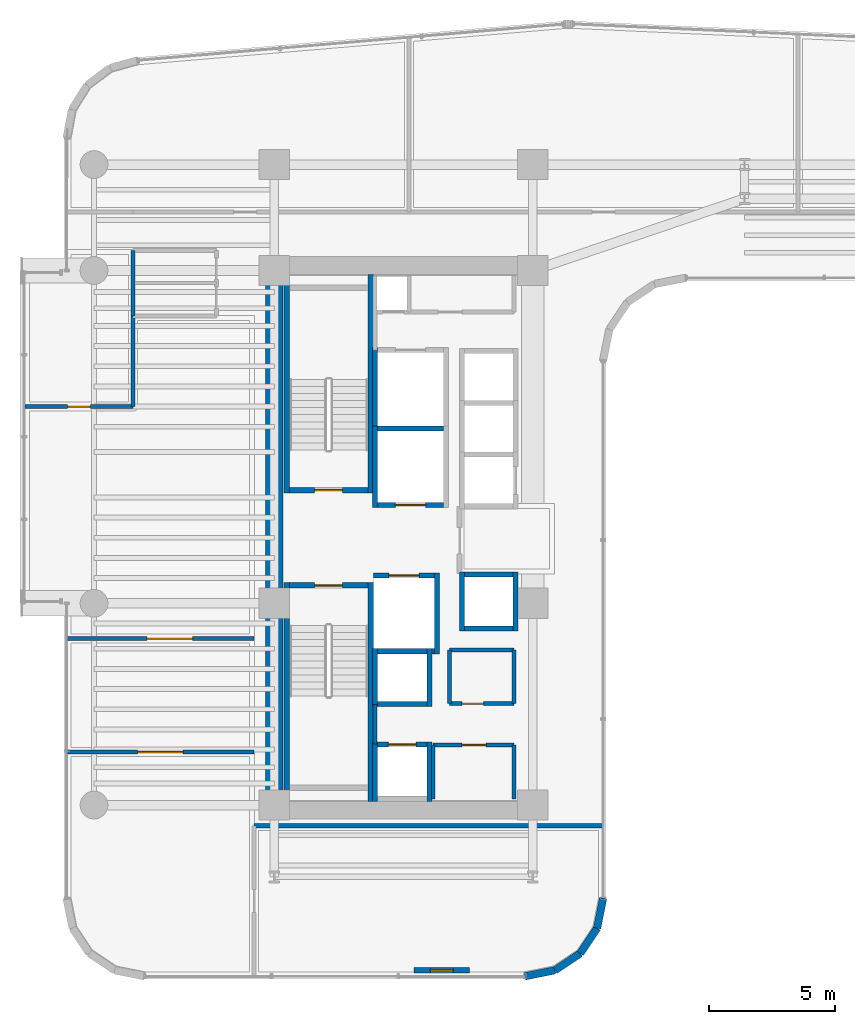
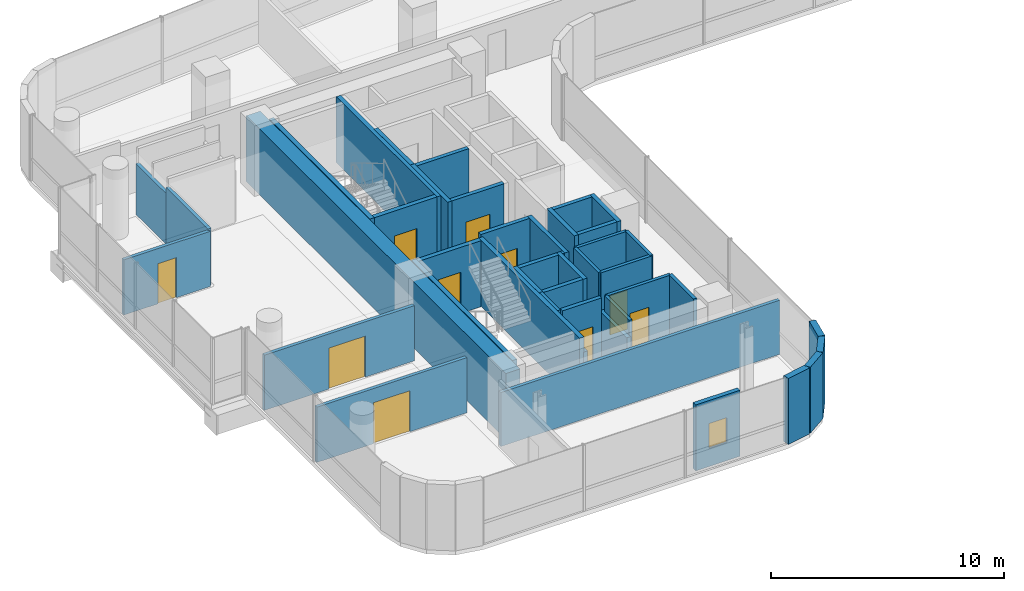
# One storey, part 26 of 34: 43 walls, 10 doors, 1 window, 11 openings.
"""IFC4 building model written with IfcOpenShell, lengths in metres."""

import ifcopenshell
import ifcopenshell.guid

model = None  # the IFC model being written
_history = None  # IfcOwnerHistory: only IFC2X3 demands one
_inside = {}  # id of a spatial element -> (the spatial element, [elements in it])
_under = {}  # id of a project, library or spatial element -> (it, [spatial elements below it])
_declared = {}  # id of a project -> (the project, [libraries it declares])
_typed = {}  # id of a type object -> (the type object, [elements of that type])
_made_of = {}  # id of a material, layer set ... -> (it, [elements and type objects made of it])


def new_model(schema):
    """Start an empty IFC model of exactly this schema.

    Asked for "IFC4X3", IfcOpenShell would pick the latest addendum, in which some entities
    have other attributes; the version numbers below select the first issue.
    IFC2X3 requires an IfcOwnerHistory on every rooted entity: one is made here for all.
    """
    global model, _history
    if schema == "IFC4X3":
        model = ifcopenshell.file(schema_version=(4, 3, 0, 0))
    else:
        model = ifcopenshell.file(schema=schema)
    _inside.clear()
    _under.clear()
    _declared.clear()
    _typed.clear()
    _made_of.clear()
    _history = None
    if model.schema == "IFC2X3":
        org = make("IfcOrganization", Name="unknown")
        user = make(
            "IfcPersonAndOrganization",
            ThePerson=make("IfcPerson", FamilyName="unknown"),
            TheOrganization=org,
        )
        app = make(
            "IfcApplication",
            ApplicationDeveloper=org,
            Version="unknown",
            ApplicationFullName="unknown",
            ApplicationIdentifier="unknown",
        )
        _history = make(
            "IfcOwnerHistory",
            OwningUser=user,
            OwningApplication=app,
            ChangeAction="ADDED",
            CreationDate=0,
        )
    return model


def make(cls, **values):
    """One entity of the class cls with the attributes given. An attribute that is None is left unset."""
    return model.create_entity(
        cls, **{name: value for name, value in values.items() if value is not None}
    )


def rooted(cls, **values):
    """An entity with a GlobalId (a new one), such as an element, a storey or a relation."""
    return make(cls, GlobalId=ifcopenshell.guid.new(), OwnerHistory=_history, **values)


def si_unit(unit_type, name, prefix=None):
    """IfcSIUnit, for example si_unit("LENGTHUNIT", "METRE", prefix="MILLI")."""
    return make("IfcSIUnit", UnitType=unit_type, Prefix=prefix, Name=name)


def assignment(units):
    """IfcUnitAssignment: the units of a project."""
    return None if units is None else make("IfcUnitAssignment", Units=units)


def point(xyz):
    """IfcCartesianPoint."""
    return None if xyz is None else make("IfcCartesianPoint", Coordinates=xyz)


def direction(xyz):
    """IfcDirection."""
    return None if xyz is None else make("IfcDirection", DirectionRatios=xyz)


def frame(location, z_axis=None, x_axis=None):
    """IfcAxis2Placement3D, a coordinate frame: its origin and axes. An axis left out is left unset."""
    return make(
        "IfcAxis2Placement3D",
        Location=point(location),
        Axis=direction(z_axis),
        RefDirection=direction(x_axis),
    )


def frame_2d(location, x_axis=None):
    """IfcAxis2Placement2D, a coordinate frame in the plane: its origin and x axis."""
    return make(
        "IfcAxis2Placement2D", Location=point(location), RefDirection=direction(x_axis)
    )


def origin():
    """The frame at (0, 0, 0) with its axes left unset."""
    return frame((0.0, 0.0, 0.0))


def place(relative_to, where):
    """IfcLocalPlacement: puts the frame where relative to a parent placement (None: the world)."""
    return make(
        "IfcLocalPlacement", PlacementRelTo=relative_to, RelativePlacement=where
    )


def context(
    kind, dimensions, precision=None, world=None, true_north=None, identifier=None
):
    """IfcGeometricRepresentationContext, for example the 3D "Model" context."""
    return make(
        "IfcGeometricRepresentationContext",
        ContextIdentifier=identifier,
        ContextType=kind,
        CoordinateSpaceDimension=dimensions,
        Precision=precision,
        WorldCoordinateSystem=world,
        TrueNorth=true_north,
    )


def subcontext(parent, identifier, kind, view, scale=None):
    """IfcGeometricRepresentationSubContext, for example "Body" below "Model"."""
    return make(
        "IfcGeometricRepresentationSubContext",
        ContextIdentifier=identifier,
        ContextType=kind,
        ParentContext=parent,
        TargetScale=scale,
        TargetView=view,
    )


def project(units=None, contexts=None):
    """IfcProject with its units and contexts."""
    return rooted(
        "IfcProject",
        Name="project",
        RepresentationContexts=contexts,
        UnitsInContext=assignment(units),
    )


def spatial(cls, under=None, at=None, **own):
    """A site, building, storey or space (cls), placed at a placement, below another one or the project."""
    s = rooted(cls, ObjectPlacement=at, **own)
    if under is not None:
        _under.setdefault(under.id(), (under, []))[1].append(s)
    return s


def profile(cls, at=None, kind="AREA", **sizes):
    """A parametric profile (cls). Its sizes go by their IFC names, for example OverallWidth=200.0."""
    return make(cls, ProfileType=kind, Position=at, **sizes)


def rectangle(**sizes):
    """IfcRectangleProfileDef."""
    return profile("IfcRectangleProfileDef", **sizes)


def extrude(swept, where, along, depth):
    """IfcExtrudedAreaSolid: the profile swept, set in the frame where, extruded along a direction by depth."""
    return make(
        "IfcExtrudedAreaSolid",
        SweptArea=swept,
        Position=where,
        ExtrudedDirection=direction(along),
        Depth=depth,
    )


def shape(context_of_items, identifier, shape_type, items):
    """IfcShapeRepresentation: the items that make up one representation, for example the "Body"."""
    return make(
        "IfcShapeRepresentation",
        ContextOfItems=context_of_items,
        RepresentationIdentifier=identifier,
        RepresentationType=shape_type,
        Items=items,
    )


def material(Name=None, Category=None):
    """IfcMaterial."""
    return make("IfcMaterial", Name=Name, Category=Category)


def layer(
    of_material, thickness, ventilated=None, Name=None, Category=None, Priority=None
):
    """IfcMaterialLayer: one layer of a wall or slab, of a material (None: an air gap)."""
    return make(
        "IfcMaterialLayer",
        Material=of_material,
        LayerThickness=thickness,
        IsVentilated=ventilated,
        Name=Name,
        Category=Category,
        Priority=Priority,
    )


def layer_set(layers, Name=None):
    """IfcMaterialLayerSet."""
    return make("IfcMaterialLayerSet", MaterialLayers=layers, LayerSetName=Name)


def made_of(thing, what):
    """Note that an element or type object is made of a material, layer set ...; save() writes the relation."""
    if what is not None:
        _made_of.setdefault(what.id(), (what, []))[1].append(thing)
    return thing


def type_object(cls, material=None, **own):
    """A type object (cls), such as IfcWallType, which elements share."""
    return made_of(rooted(cls, **own), material)


def element(
    cls,
    number,
    at=None,
    inside=None,
    cuts=None,
    type_object=None,
    material=None,
    context=None,
    identifier="Body",
    shape_type=None,
    held_by="IfcProductDefinitionShape",
    body=None,
    shapes=None,
    **own,
):
    """One element of the class cls, such as IfcWall. Its Tag is "e" and its number.

    at: its placement. inside: the storey or other place that contains it. cuts: it is an
    opening in that element (IfcRelVoidsElement). A single representation is given by context,
    identifier, shape_type and body (its items); several are given by shapes. held_by: the class
    of the entity that holds the representations. save() writes the other relations.
    """
    e = rooted(cls, Tag="e%d" % number, ObjectPlacement=at, **own)
    if body is not None:
        shapes = [shape(context, identifier, shape_type, body)]
    if shapes is not None:
        e.Representation = make(held_by, Representations=shapes)
    if inside is not None:
        _inside.setdefault(inside.id(), (inside, []))[1].append(e)
    if cuts is not None:
        rooted(
            "IfcRelVoidsElement", RelatingBuildingElement=cuts, RelatedOpeningElement=e
        )
    if type_object is not None:
        _typed.setdefault(type_object.id(), (type_object, []))[1].append(e)
    return made_of(e, material)


def fill(opening, filler):
    """IfcRelFillsElement: the door or window that sits in an opening."""
    return rooted(
        "IfcRelFillsElement",
        RelatingOpeningElement=opening,
        RelatedBuildingElement=filler,
    )


def aggregate(whole, parts):
    """IfcRelAggregates: a whole, such as a stair, and the parts it consists of."""
    return rooted("IfcRelAggregates", RelatingObject=whole, RelatedObjects=parts)


def save(model, path):
    """Write the relations noted so far, then the file.

    IfcRelAggregates (storeys below a building ...), IfcRelContainedInSpatialStructure (elements
    in a storey), IfcRelDefinesByType, IfcRelAssociatesMaterial and IfcRelDeclares: one each for
    every whole, place, type object, material and project.
    """
    for whole, parts in _under.values():
        aggregate(whole, parts)
    for where, things in _inside.values():
        rooted(
            "IfcRelContainedInSpatialStructure",
            RelatedElements=things,
            RelatingStructure=where,
        )
    for kind, things in _typed.values():
        rooted("IfcRelDefinesByType", RelatedObjects=things, RelatingType=kind)
    for what, things in _made_of.values():
        rooted("IfcRelAssociatesMaterial", RelatedObjects=things, RelatingMaterial=what)
    for by, libraries in _declared.values():
        rooted("IfcRelDeclares", RelatingContext=by, RelatedDefinitions=libraries)
    model.write(path)


model = new_model("IFC4")

# Units and contexts
model_context = context("Model", 3, precision=1e-05, world=origin(), true_north=direction((0.0, 1.0)))
body_context = subcontext(model_context, "Body", "Model", "MODEL_VIEW")
ifc_project = project(units=[si_unit("LENGTHUNIT", "METRE"), si_unit("AREAUNIT", "SQUARE_METRE"), si_unit("VOLUMEUNIT", "CUBIC_METRE"), si_unit("PLANEANGLEUNIT", "RADIAN"), si_unit("MASSUNIT", "GRAM", prefix="KILO")], contexts=[model_context])

# Site, building, storey
site_placement = place(None, origin())
site = spatial("IfcSite", under=ifc_project, at=site_placement, CompositionType="ELEMENT")
building_placement = place(site_placement, origin())
building = spatial("IfcBuilding", under=site, at=building_placement, Name="Valdorenza Pilgrim Sanctuary Tower", CompositionType="ELEMENT")
storey_placement = place(building_placement, frame((0.0, 0.0, 142.699951171875)))
storey = spatial("IfcBuildingStorey", under=building, at=storey_placement, Name="L36", CompositionType="ELEMENT", Elevation=142.699951171875)

# Wall
ifc_material_1 = material(Name="Acoustic twin-stud gypsum partition", Category="gypsum")
ifc_layer_1 = layer(ifc_material_1, 0.159912109375, Name="Acoustic twin-stud gypsum partition")
ifc_layer_set_1 = layer_set([ifc_layer_1], Name="Acoustic twin-stud gypsum partition")
wall_type_1 = type_object("IfcWallType", Name="WAL-COR-160", PredefinedType="PARTITIONING", material=ifc_layer_set_1)
wall_1_placement = place(storey_placement, frame((-18.64990234375, -8.179931640625, 0.0), z_axis=(0.0, 0.0, 1.0), x_axis=(0.0, 1.0, 0.0)))
element("IfcWall", 1, at=wall_1_placement, inside=storey, type_object=wall_type_1, Name="L36 Core A South Lift Hall West Wall", PredefinedType="PARTITIONING", context=body_context, shape_type="SweptSolid", body=[
    extrude(rectangle(XDim=1.559814453125, YDim=0.159912109375, at=frame_2d((0.77978515625, 0.0))), origin(), (0.0, 0.0, 1.0), 3.4599609375),
])

# Wall, opening, door
wall_2_placement = place(storey_placement, frame((-16.35009765625, -8.219970703125, 0.0), z_axis=(0.0, 0.0, 1.0), x_axis=(1.0, 0.0, 0.0)))
wall_2 = element("IfcWall", 2, at=wall_2_placement, inside=storey, type_object=wall_type_1, Name="L36 Freed Shaft 1 North Wall", PredefinedType="PARTITIONING", context=body_context, shape_type="SweptSolid", body=[
    extrude(rectangle(XDim=3.2001953125, YDim=0.159912109375, at=frame_2d((1.60009765625, 0.0))), origin(), (0.0, 0.0, 1.0), 3.4599609375),
])
opening_1_placement = place(wall_2_placement, frame((1.14990234375, 0.0, 0.0)))
opening_1 = element("IfcOpeningElement", 3, at=opening_1_placement, cuts=wall_2, Name="Opening DR-UN1", PredefinedType="OPENING", context=body_context, shape_type="SweptSolid", body=[
    extrude(rectangle(XDim=0.949951171875, YDim=2.14990234375, at=frame_2d((0.47509765625, 1.074951171875))), frame((0.0, 0.0947265625, 0.0), z_axis=(0.0, -1.0, 0.0), x_axis=(1.0, 0.0, 0.0)), (0.0, 0.0, 1.0), 0.189697265625),
])
ifc_material_2 = material(Name="Solid-core European oak timber", Category="wood")
door_type_1 = type_object("IfcDoorType", Name="DR-UNIT-950", OperationType="NOTDEFINED", PredefinedType="DOOR", material=ifc_material_2)
door_1_placement = place(opening_1_placement, origin())
door_1 = element("IfcDoor", 4, at=door_1_placement, inside=storey, type_object=door_type_1, Name="L36 Back-of-House Linen Store Door", OperationType="SINGLE_SWING_LEFT", OverallHeight=2.14990234375, OverallWidth=0.949951171875, PredefinedType="DOOR", context=body_context, shape_type="SweptSolid", body=[
    extrude(rectangle(XDim=0.949951171875, YDim=2.14990234375, at=frame_2d((0.47509765625, 1.074951171875))), frame((0.0, 0.02490234375, 0.0), z_axis=(0.0, -1.0, 0.0), x_axis=(1.0, 0.0, 0.0)), (0.0, 0.0, 1.0), 0.050048828125),
])
fill(opening_1, door_1)

# Wall
wall_3_placement = place(storey_placement, frame((-13.14990234375, -10.35009765625, 0.0), z_axis=(0.0, 0.0, 1.0), x_axis=(0.0, 1.0, 0.0)))
element("IfcWall", 5, at=wall_3_placement, inside=storey, type_object=wall_type_1, Name="L36 Freed Shaft 1 East Wall", PredefinedType="PARTITIONING", context=body_context, shape_type="SweptSolid", body=[
    extrude(rectangle(XDim=2.130126953125, YDim=0.159912109375, at=frame_2d((1.06494140625, 0.0))), origin(), (0.0, 0.0, 1.0), 3.4599609375),
])

# Wall, opening, door
wall_4_placement = place(storey_placement, frame((-15.699951171875, -6.580078125, 0.0), z_axis=(0.0, 0.0, 1.0), x_axis=(1.0, 0.0, 0.0)))
wall_4 = element("IfcWall", 6, at=wall_4_placement, inside=storey, type_object=wall_type_1, Name="L36 Freed Shaft 2 South Wall", PredefinedType="PARTITIONING", context=body_context, shape_type="SweptSolid", body=[
    extrude(rectangle(XDim=2.550048828125, YDim=0.159912109375, at=frame_2d((1.27490234375, 0.0))), origin(), (0.0, 0.0, 1.0), 3.4599609375),
])
opening_2_placement = place(wall_4_placement, frame((0.5, 0.0, 0.0)))
opening_2 = element("IfcOpeningElement", 7, at=opening_2_placement, cuts=wall_4, Name="Opening DR-RS1", PredefinedType="OPENING", context=body_context, shape_type="SweptSolid", body=[
    extrude(rectangle(XDim=0.85009765625, YDim=2.050048828125, at=frame_2d((0.425048828125, 1.02490234375))), frame((0.0, 0.0947265625, 0.0), z_axis=(0.0, -1.0, 0.0), x_axis=(1.0, 0.0, 0.0)), (0.0, 0.0, 1.0), 0.189697265625),
])
ifc_material_3 = material(Name="Painted galvanized steel", Category="steel")
door_type_2 = type_object("IfcDoorType", Name="DR-RSR-850", OperationType="NOTDEFINED", PredefinedType="DOOR", material=ifc_material_3)
door_2_placement = place(opening_2_placement, origin())
door_2 = element("IfcDoor", 8, at=door_2_placement, inside=storey, type_object=door_type_2, Name="L36 Guest Tea Pantry Door", OperationType="SINGLE_SWING_RIGHT", OverallHeight=2.050048828125, OverallWidth=0.85009765625, PredefinedType="DOOR", context=body_context, shape_type="SweptSolid", body=[
    extrude(rectangle(XDim=0.85009765625, YDim=2.050048828125, at=frame_2d((0.425048828125, 1.02490234375))), frame((0.0, 0.02490234375, 0.0), z_axis=(0.0, -1.0, 0.0), x_axis=(1.0, 0.0, 0.0)), (0.0, 0.0, 1.0), 0.050048828125),
])
fill(opening_2, door_2)

# Walls
wall_5_placement = place(storey_placement, frame((-13.14990234375, -6.580078125, 0.0), z_axis=(0.0, 0.0, 1.0), x_axis=(0.0, 1.0, 0.0)))
element("IfcWall", 9, at=wall_5_placement, inside=storey, type_object=wall_type_1, Name="L36 Freed Shaft 2 East Wall", PredefinedType="PARTITIONING", context=body_context, shape_type="SweptSolid", body=[
    extrude(rectangle(XDim=2.130126953125, YDim=0.159912109375, at=frame_2d((1.06494140625, 0.0))), origin(), (0.0, 0.0, 1.0), 3.4599609375),
])
wall_6_placement = place(storey_placement, frame((-28.25, 8.800048828125, 0.0), z_axis=(0.0, 0.0, 1.0), x_axis=(0.0, 1.0, 0.0)))
element("IfcWall", 10, at=wall_6_placement, inside=storey, type_object=wall_type_1, Name="L36 Washroom West Wall", PredefinedType="PARTITIONING", context=body_context, shape_type="SweptSolid", body=[
    extrude(rectangle(XDim=2.599853515625, YDim=0.159912109375, at=frame_2d((1.2998046875, 0.0))), origin(), (0.0, 0.0, 1.0), 2.666015625),
])
wall_7_placement = place(storey_placement, frame((-23.449951171875, -11.419921875, 0.0), z_axis=(0.0, 0.0, 1.0), x_axis=(1.0, 0.0, 0.0)))
element("IfcWall", 11, at=wall_7_placement, inside=storey, type_object=wall_type_1, Name="L36 South-East Pocket North Wall", PredefinedType="PARTITIONING", context=body_context, shape_type="SweptSolid", body=[
    extrude(rectangle(XDim=13.83984375, YDim=0.159912109375, at=frame_2d((6.919921875, 0.0))), origin(), (0.0, 0.0, 1.0), 2.833984375),
])

# Wall, opening, door
wall_8_placement = place(storey_placement, frame((-30.889892578125, -8.5, 0.0), z_axis=(0.0, 0.0, 1.0), x_axis=(1.0, 0.0, 0.0)))
wall_8 = element("IfcWall", 12, at=wall_8_placement, inside=storey, type_object=wall_type_1, Name="L36 Cloister South Room Wall", PredefinedType="PARTITIONING", context=body_context, shape_type="SweptSolid", body=[
    extrude(rectangle(XDim=7.43994140625, YDim=0.159912109375, at=frame_2d((3.719970703125, 0.0))), origin(), (0.0, 0.0, 1.0), 2.89599609375),
])
opening_3_placement = place(wall_8_placement, frame((2.820068359375, 0.0, 0.0)))
opening_3 = element("IfcOpeningElement", 13, at=opening_3_placement, cuts=wall_8, Name="Opening DR-HL1", PredefinedType="OPENING", context=body_context, shape_type="SweptSolid", body=[
    extrude(rectangle(XDim=1.800048828125, YDim=2.14990234375, at=frame_2d((0.89990234375, 1.074951171875))), frame((0.0, 0.0947265625, 0.0), z_axis=(0.0, -1.0, 0.0), x_axis=(1.0, 0.0, 0.0)), (0.0, 0.0, 1.0), 0.189697265625),
])
ifc_material_4 = material(Name="Acoustic oak and vision-glass double door", Category="glass")
door_type_3 = type_object("IfcDoorType", Name="DR-HALL-1800", OperationType="NOTDEFINED", PredefinedType="DOOR", material=ifc_material_4)
door_3_placement = place(opening_3_placement, origin())
door_3 = element("IfcDoor", 14, at=door_3_placement, inside=storey, type_object=door_type_3, Name="L36 Theological Seminar Classroom L36-S1 Door", OperationType="DOUBLE_DOOR_SINGLE_SWING", OverallHeight=2.14990234375, OverallWidth=1.800048828125, PredefinedType="DOOR", context=body_context, shape_type="SweptSolid", body=[
    extrude(rectangle(XDim=1.800048828125, YDim=2.14990234375, at=frame_2d((0.89990234375, 1.074951171875))), frame((0.0, 0.02490234375, 0.0), z_axis=(0.0, -1.0, 0.0), x_axis=(1.0, 0.0, 0.0)), (0.0, 0.0, 1.0), 0.050048828125),
])
fill(opening_3, door_3)

wall_9_placement = place(storey_placement, frame((-32.5400390625, 5.199951171875, 0.0), z_axis=(0.0, 0.0, 1.0), x_axis=(1.0, 0.0, 0.0)))
wall_9 = element("IfcWall", 15, at=wall_9_placement, inside=storey, type_object=wall_type_1, Name="L36 Cloister North Room Wall", PredefinedType="PARTITIONING", context=body_context, shape_type="SweptSolid", body=[
    extrude(rectangle(XDim=4.2900390625, YDim=0.159912109375, at=frame_2d((2.14501953125, 0.0))), origin(), (0.0, 0.0, 1.0), 2.89599609375),
])
opening_4_placement = place(wall_9_placement, frame((1.695068359375, 0.0, 0.0)))
opening_4 = element("IfcOpeningElement", 16, at=opening_4_placement, cuts=wall_9, Name="Opening DR-RM1", PredefinedType="OPENING", context=body_context, shape_type="SweptSolid", body=[
    extrude(rectangle(XDim=0.89990234375, YDim=2.10009765625, at=frame_2d((0.449951171875, 1.050048828125))), frame((0.0, 0.0947265625, 0.0), z_axis=(0.0, -1.0, 0.0), x_axis=(1.0, 0.0, 0.0)), (0.0, 0.0, 1.0), 0.189697265625),
])
door_type_4 = type_object("IfcDoorType", Name="DR-ROOM-900", OperationType="NOTDEFINED", PredefinedType="DOOR", material=ifc_material_2)
door_4_placement = place(opening_4_placement, frame((0.89990234375, 0.0, 0.0), z_axis=(0.0, 0.0, 1.0), x_axis=(-1.0, 0.0, 0.0)))
door_4 = element("IfcDoor", 17, at=door_4_placement, inside=storey, type_object=door_type_4, Name="L36 North Contemplation Lounge L36 Door", OperationType="SINGLE_SWING_LEFT", OverallHeight=2.10009765625, OverallWidth=0.89990234375, PredefinedType="DOOR", context=body_context, shape_type="SweptSolid", body=[
    extrude(rectangle(XDim=0.89990234375, YDim=2.10009765625, at=frame_2d((0.449951171875, 1.050048828125))), frame((0.0, 0.02490234375, 0.0), z_axis=(0.0, -1.0, 0.0), x_axis=(1.0, 0.0, 0.0)), (0.0, 0.0, 1.0), 0.050048828125),
])
fill(opening_4, door_4)

# Wall
wall_10_placement = place(storey_placement, frame((-28.25, 5.199951171875, 0.0), z_axis=(0.0, 0.0, 1.0), x_axis=(0.0, 1.0, 0.0)))
element("IfcWall", 18, at=wall_10_placement, inside=storey, type_object=wall_type_1, Name="L36 Cloister NE Closure", PredefinedType="PARTITIONING", context=body_context, shape_type="SweptSolid", body=[
    extrude(rectangle(XDim=3.60009765625, YDim=0.159912109375, at=frame_2d((1.800048828125, 0.0))), origin(), (0.0, 0.0, 1.0), 2.988037109375),
])

# Wall, opening, door
wall_11_placement = place(storey_placement, frame((-30.889892578125, -4.0, 0.0), z_axis=(0.0, 0.0, 1.0), x_axis=(1.0, 0.0, 0.0)))
wall_11 = element("IfcWall", 19, at=wall_11_placement, inside=storey, type_object=wall_type_1, Name="L36 Cloister Mid Wall", PredefinedType="PARTITIONING", context=body_context, shape_type="SweptSolid", body=[
    extrude(rectangle(XDim=7.43994140625, YDim=0.159912109375, at=frame_2d((3.719970703125, 0.0))), origin(), (0.0, 0.0, 1.0), 2.89599609375),
])
opening_5_placement = place(wall_11_placement, frame((3.199951171875, 0.0, 0.0)))
opening_5 = element("IfcOpeningElement", 20, at=opening_5_placement, cuts=wall_11, Name="Opening DR-HL1", PredefinedType="OPENING", context=body_context, shape_type="SweptSolid", body=[
    extrude(rectangle(XDim=1.800048828125, YDim=2.14990234375, at=frame_2d((0.89990234375, 1.074951171875))), frame((0.0, 0.0947265625, 0.0), z_axis=(0.0, -1.0, 0.0), x_axis=(1.0, 0.0, 0.0)), (0.0, 0.0, 1.0), 0.189697265625),
])
door_5_placement = place(opening_5_placement, origin())
door_5 = element("IfcDoor", 21, at=door_5_placement, inside=storey, type_object=door_type_3, Name="L36 Cloister Mid Double Door", OperationType="DOUBLE_DOOR_SINGLE_SWING", OverallHeight=2.14990234375, OverallWidth=1.800048828125, PredefinedType="DOOR", context=body_context, shape_type="SweptSolid", body=[
    extrude(rectangle(XDim=1.800048828125, YDim=2.14990234375, at=frame_2d((0.89990234375, 1.074951171875))), frame((0.0, 0.02490234375, 0.0), z_axis=(0.0, -1.0, 0.0), x_axis=(1.0, 0.0, 0.0)), (0.0, 0.0, 1.0), 0.050048828125),
])
fill(opening_5, door_5)

# Walls
ifc_material_5 = material(Name="Concrete C60/75", Category="concrete")
ifc_layer_2 = layer(ifc_material_5, 0.699951171875, Name="Concrete C60/75")
ifc_layer_set_2 = layer_set([ifc_layer_2], Name="Concrete C60/75")
wall_type_2 = type_object("IfcWallType", Name="WAL-COR-700", PredefinedType="SHEAR", material=ifc_layer_set_2)
wall_12_placement = place(storey_placement, frame((-22.64990234375, -11.14990234375, 0.0), z_axis=(0.0, 0.0, 1.0), x_axis=(0.0, 1.0, 0.0)))
element("IfcWall", 22, at=wall_12_placement, inside=storey, type_object=wall_type_2, Name="L36 Split Core A Shear Wall W", PredefinedType="SHEAR", context=body_context, shape_type="SweptSolid", body=[
    extrude(rectangle(XDim=22.2998046875, YDim=0.699951171875, at=frame_2d((11.14990234375, 0.0))), origin(), (0.0, 0.0, 1.0), 3.4599609375),
])
ifc_material_6 = material(Name="Honed travertine limestone", Category="masonry")
ifc_layer_3 = layer(ifc_material_6, 0.300048828125, Name="Honed travertine limestone")
ifc_layer_set_3 = layer_set([ifc_layer_3], Name="Honed travertine limestone")
wall_type_3 = type_object("IfcWallType", Name="WAL-EXT-300", PredefinedType="SOLIDWALL", material=ifc_layer_set_3)
wall_13_placement = place(storey_placement, frame((-9.610107421875, -14.289306640625, 0.0), z_axis=(0.0, 0.0, 1.0), x_axis=(-0.194996050505, -0.980804027463, 0.0)))
element("IfcWall", 23, at=wall_13_placement, inside=storey, type_object=wall_type_3, Name="L36 Rounded Wind-Corner Stone Pier 42", PredefinedType="SOLIDWALL", context=body_context, shape_type="SweptSolid", body=[
    extrude(rectangle(XDim=1.2158203125, YDim=0.300048828125, at=frame_2d((0.60791015625, 0.0))), origin(), (0.0, 0.0, 1.0), 3.4599609375),
])
for number, where, z_axis, x_axis, name in (
    (24, (-9.84716796875, -15.481689453125, 0.0), (0.0, 0.0, 1.0), (-0.555635100982, -0.831426265255, 0.0), "L36 Rounded Wind-Corner Stone Pier 43"),
    (25, (-10.5166015625, -16.4833984375, 0.0), (0.0, 0.0, 1.0), (-0.831426265255, -0.555635100982, 0.0), "L36 Rounded Wind-Corner Stone Pier 44"),
):
    element("IfcWall", number, at=place(storey_placement, frame(where, z_axis=z_axis, x_axis=x_axis)), inside=storey, type_object=wall_type_3, Name=name, PredefinedType="SOLIDWALL", context=body_context, shape_type="SweptSolid", body=[
        extrude(rectangle(XDim=1.204833984375, YDim=0.300048828125, at=frame_2d((0.6025390625, 0.0))), origin(), (0.0, 0.0, 1.0), 3.4599609375),
    ])
wall_14_placement = place(storey_placement, frame((-11.518310546875, -17.15283203125, 0.0), z_axis=(0.0, 0.0, 1.0), x_axis=(-0.980804027463, -0.194996050505, 0.0)))
element("IfcWall", 26, at=wall_14_placement, inside=storey, type_object=wall_type_3, Name="L36 Rounded Wind-Corner Stone Pier 45", PredefinedType="SOLIDWALL", context=body_context, shape_type="SweptSolid", body=[
    extrude(rectangle(XDim=1.2158203125, YDim=0.300048828125, at=frame_2d((0.60791015625, 0.0))), origin(), (0.0, 0.0, 1.0), 3.4599609375),
])

# Wall, opening, window
wall_15_placement = place(storey_placement, frame((-14.910888671875, -17.14990234375, 0.0), z_axis=(0.0, 0.0, 1.0), x_axis=(-1.0, 0.0, 0.0)))
wall_15 = element("IfcWall", 27, at=wall_15_placement, inside=storey, type_object=wall_type_3, Name="L36 Operable Ventilation Sash Jamb Pier", PredefinedType="SOLIDWALL", context=body_context, shape_type="SweptSolid", body=[
    extrude(rectangle(XDim=2.199951171875, YDim=0.219970703125, at=frame_2d((1.10009765625, 0.0))), origin(), (0.0, 0.0, 1.0), 3.4599609375),
])
opening_6_placement = place(wall_15_placement, frame((0.64990234375, 0.0, 0.949951171875)))
opening_6 = element("IfcOpeningElement", 28, at=opening_6_placement, cuts=wall_15, Name="Opening WN-OP1", PredefinedType="OPENING", context=body_context, shape_type="SweptSolid", body=[
    extrude(rectangle(XDim=0.89990234375, YDim=1.300048828125, at=frame_2d((0.449951171875, 0.64990234375))), frame((0.0, 0.125, 0.0), z_axis=(0.0, -1.0, 0.0), x_axis=(1.0, 0.0, 0.0)), (0.0, 0.0, 1.0), 0.249755859375),
])
ifc_material_7 = material(Name="Ceramic-fritted low-E IGU glazing", Category="glass")
window_type = type_object("IfcWindowType", Name="WIN-OPN-900", PartitioningType="SINGLE_PANEL", PredefinedType="WINDOW", material=ifc_material_7)
window_placement = place(opening_6_placement, origin())
window = element("IfcWindow", 29, at=window_placement, inside=storey, type_object=window_type, Name="L36 Parallel-Pop-Out Operable Facade Panel", OverallHeight=1.300048828125, OverallWidth=0.89990234375, PartitioningType="SINGLE_PANEL", PredefinedType="WINDOW", context=body_context, shape_type="SweptSolid", body=[
    extrude(rectangle(XDim=0.89990234375, YDim=1.300048828125, at=frame_2d((0.449951171875, 0.64990234375))), frame((0.0, 0.030029296875, 0.0), z_axis=(0.0, -1.0, 0.0), x_axis=(1.0, 0.0, 0.0)), (0.0, 0.0, 1.0), 0.06005859375),
])
fill(opening_6, window)

# Wall
ifc_material_8 = material(Name="Autoclaved aerated concrete blockwork", Category="masonry")
ifc_layer_4 = layer(ifc_material_8, 0.199951171875, Name="Autoclaved aerated concrete blockwork")
ifc_layer_set_4 = layer_set([ifc_layer_4], Name="Autoclaved aerated concrete blockwork")
wall_type_4 = type_object("IfcWallType", Name="WAL-SHF-200", PredefinedType="MOVABLE", material=ifc_layer_set_4)
wall_16_placement = place(storey_placement, frame((-18.64990234375, 1.199951171875, 0.0), z_axis=(0.0, 0.0, 1.0), x_axis=(0.0, 1.0, 0.0)))
element("IfcWall", 30, at=wall_16_placement, inside=storey, type_object=wall_type_4, Name="L36 Lift FFL-01 Hoistway Wall West", PredefinedType="MOVABLE", context=body_context, shape_type="SweptSolid", body=[
    extrude(rectangle(XDim=3.22509765625, YDim=0.199951171875, at=frame_2d((1.612548828125, 0.0))), origin(), (0.0, 0.0, 1.0), 3.4599609375),
])

# Wall, opening, door
wall_17_placement = place(storey_placement, frame((-18.550048828125, 1.300048828125, 0.0), z_axis=(0.0, 0.0, 1.0), x_axis=(1.0, 0.0, 0.0)))
wall_17 = element("IfcWall", 31, at=wall_17_placement, inside=storey, type_object=wall_type_4, Name="L36 Lift FFL-01 Hoistway Wall South", PredefinedType="MOVABLE", context=body_context, shape_type="SweptSolid", body=[
    extrude(rectangle(XDim=2.60009765625, YDim=0.199951171875, at=frame_2d((1.300048828125, 0.0))), origin(), (0.0, 0.0, 1.0), 3.4599609375),
])
opening_7_placement = place(wall_17_placement, frame((0.699951171875, 0.0, 0.0)))
opening_7 = element("IfcOpeningElement", 32, at=opening_7_placement, cuts=wall_17, Name="Opening LD-02", PredefinedType="OPENING", context=body_context, shape_type="SweptSolid", body=[
    extrude(rectangle(XDim=1.199951171875, YDim=2.10009765625, at=frame_2d((0.60009765625, 1.050048828125))), frame((0.0, 0.11474609375, 0.0), z_axis=(0.0, -1.0, 0.0), x_axis=(1.0, 0.0, 0.0)), (0.0, 0.0, 1.0), 0.229736328125),
])
ifc_material_9 = material(Name="Brushed stainless steel Grade 316", Category="steel")
door_type_5 = type_object("IfcDoorType", Name="DR-LFT-1200", OperationType="DOUBLE_DOOR_SLIDING", PredefinedType="DOOR", material=ifc_material_9)
door_6_placement = place(opening_7_placement, origin())
door_6 = element("IfcDoor", 33, at=door_6_placement, inside=storey, type_object=door_type_5, Name="L36 Lift FFL-01 Sliding Landing Door", OperationType="DOUBLE_DOOR_SLIDING", OverallHeight=2.10009765625, OverallWidth=1.199951171875, PredefinedType="DOOR", context=body_context, shape_type="SweptSolid", body=[
    extrude(rectangle(XDim=1.199951171875, YDim=2.10009765625, at=frame_2d((0.60009765625, 1.050048828125))), frame((0.0, 0.02490234375, 0.0), z_axis=(0.0, -1.0, 0.0), x_axis=(1.0, 0.0, 0.0)), (0.0, 0.0, 1.0), 0.050048828125),
])
fill(opening_7, door_6)

# Walls
wall_18_placement = place(storey_placement, frame((-18.550048828125, 4.324951171875, 0.0), z_axis=(0.0, 0.0, 1.0), x_axis=(1.0, 0.0, 0.0)))
element("IfcWall", 34, at=wall_18_placement, inside=storey, type_object=wall_type_4, Name="L36 Lift FFL-01 Hoistway Wall North", PredefinedType="MOVABLE", context=body_context, shape_type="SweptSolid", body=[
    extrude(rectangle(XDim=2.60009765625, YDim=0.199951171875, at=frame_2d((1.300048828125, 0.0))), origin(), (0.0, 0.0, 1.0), 3.4599609375),
])
wall_19_placement = place(storey_placement, frame((-16.199951171875, -4.60009765625, 0.0), z_axis=(0.0, 0.0, 1.0), x_axis=(0.0, 1.0, 0.0)))
element("IfcWall", 35, at=wall_19_placement, inside=storey, type_object=wall_type_4, Name="L36 Lift FFL-02 Hoistway Wall East", PredefinedType="MOVABLE", context=body_context, shape_type="SweptSolid", body=[
    extrude(rectangle(XDim=3.2001953125, YDim=0.199951171875, at=frame_2d((1.60009765625, 0.0))), origin(), (0.0, 0.0, 1.0), 3.4599609375),
])
wall_20_placement = place(storey_placement, frame((-18.719970703125, -4.5, 0.0), z_axis=(0.0, 0.0, 1.0), x_axis=(1.0, 0.0, 0.0)))
element("IfcWall", 36, at=wall_20_placement, inside=storey, type_object=wall_type_4, Name="L36 Lift FFL-02 Hoistway Wall South", PredefinedType="MOVABLE", context=body_context, shape_type="SweptSolid", body=[
    extrude(rectangle(XDim=2.419921875, YDim=0.199951171875, at=frame_2d((1.2099609375, 0.0))), origin(), (0.0, 0.0, 1.0), 3.4599609375),
])

# Wall, opening, door
wall_21_placement = place(storey_placement, frame((-18.719970703125, -1.5, 0.0), z_axis=(0.0, 0.0, 1.0), x_axis=(1.0, 0.0, 0.0)))
wall_21 = element("IfcWall", 37, at=wall_21_placement, inside=storey, type_object=wall_type_4, Name="L36 Lift FFL-02 Hoistway Wall North", PredefinedType="MOVABLE", context=body_context, shape_type="SweptSolid", body=[
    extrude(rectangle(XDim=2.419921875, YDim=0.199951171875, at=frame_2d((1.2099609375, 0.0))), origin(), (0.0, 0.0, 1.0), 3.4599609375),
])
opening_8_placement = place(wall_21_placement, frame((0.610107421875, 0.0, 0.0)))
opening_8 = element("IfcOpeningElement", 38, at=opening_8_placement, cuts=wall_21, Name="Opening LD-02", PredefinedType="OPENING", context=body_context, shape_type="SweptSolid", body=[
    extrude(rectangle(XDim=1.199951171875, YDim=2.10009765625, at=frame_2d((0.60009765625, 1.050048828125))), frame((0.0, 0.11474609375, 0.0), z_axis=(0.0, -1.0, 0.0), x_axis=(1.0, 0.0, 0.0)), (0.0, 0.0, 1.0), 0.229736328125),
])
door_7_placement = place(opening_8_placement, origin())
door_7 = element("IfcDoor", 39, at=door_7_placement, inside=storey, type_object=door_type_5, Name="L36 Lift FFL-02 Sliding Landing Door", OperationType="DOUBLE_DOOR_SLIDING", OverallHeight=2.10009765625, OverallWidth=1.199951171875, PredefinedType="DOOR", context=body_context, shape_type="SweptSolid", body=[
    extrude(rectangle(XDim=1.199951171875, YDim=2.10009765625, at=frame_2d((0.60009765625, 1.050048828125))), frame((0.0, 0.02490234375, 0.0), z_axis=(0.0, -1.0, 0.0), x_axis=(1.0, 0.0, 0.0)), (0.0, 0.0, 1.0), 0.050048828125),
])
fill(opening_8, door_7)

# Walls
wall_22_placement = place(storey_placement, frame((-18.64990234375, 4.22509765625, 0.0), z_axis=(0.0, 0.0, 1.0), x_axis=(0.0, 1.0, 0.0)))
element("IfcWall", 40, at=wall_22_placement, inside=storey, type_object=wall_type_4, Name="L36 Lift SVL-01 Hoistway Wall West", PredefinedType="MOVABLE", context=body_context, shape_type="SweptSolid", body=[
    extrude(rectangle(XDim=3.324951171875, YDim=0.199951171875, at=frame_2d((1.66259765625, 0.0))), origin(), (0.0, 0.0, 1.0), 3.4599609375),
])
for number, where, z_axis, x_axis, name in (
    (41, (-18.64990234375, -10.449951171875, 0.0), (0.0, 0.0, 1.0), (0.0, 1.0, 0.0), "L36 Lift PL-05 Hoistway Wall West"),
    (42, (-16.5, -10.449951171875, 0.0), (0.0, 0.0, 1.0), (0.0, 1.0, 0.0), "L36 Lift PL-05 Hoistway Wall East"),
):
    element("IfcWall", number, at=place(storey_placement, frame(where, z_axis=z_axis, x_axis=x_axis)), inside=storey, type_object=wall_type_4, Name=name, PredefinedType="MOVABLE", context=body_context, shape_type="SweptSolid", body=[
        extrude(rectangle(XDim=2.349853515625, YDim=0.199951171875, at=frame_2d((1.1748046875, 0.0))), origin(), (0.0, 0.0, 1.0), 2.666015625),
    ])

# Wall, opening, door
wall_23_placement = place(storey_placement, frame((-18.550048828125, -8.199951171875, 0.0), z_axis=(0.0, 0.0, 1.0), x_axis=(1.0, 0.0, 0.0)))
wall_23 = element("IfcWall", 43, at=wall_23_placement, inside=storey, type_object=wall_type_4, Name="L36 Lift PL-05 Hoistway Wall North", PredefinedType="MOVABLE", context=body_context, shape_type="SweptSolid", body=[
    extrude(rectangle(XDim=1.949951171875, YDim=0.199951171875, at=frame_2d((0.97509765625, 0.0))), origin(), (0.0, 0.0, 1.0), 3.4599609375),
])
opening_9_placement = place(wall_23_placement, frame((0.425048828125, 0.0, 0.0)))
opening_9 = element("IfcOpeningElement", 44, at=opening_9_placement, cuts=wall_23, Name="Opening LD-01", PredefinedType="OPENING", context=body_context, shape_type="SweptSolid", body=[
    extrude(rectangle(XDim=1.10009765625, YDim=2.10009765625, at=frame_2d((0.550048828125, 1.050048828125))), frame((0.0, 0.11474609375, 0.0), z_axis=(0.0, -1.0, 0.0), x_axis=(1.0, 0.0, 0.0)), (0.0, 0.0, 1.0), 0.229736328125),
])
door_type_6 = type_object("IfcDoorType", Name="DR-LFT-1100", OperationType="DOUBLE_DOOR_SLIDING", PredefinedType="DOOR", material=ifc_material_9)
door_8_placement = place(opening_9_placement, origin())
door_8 = element("IfcDoor", 45, at=door_8_placement, inside=storey, type_object=door_type_6, Name="L36 Lift PL-05 Sliding Landing Door", OperationType="DOUBLE_DOOR_SLIDING", OverallHeight=2.10009765625, OverallWidth=1.10009765625, PredefinedType="DOOR", context=body_context, shape_type="SweptSolid", body=[
    extrude(rectangle(XDim=1.10009765625, YDim=2.10009765625, at=frame_2d((0.550048828125, 1.050048828125))), frame((0.0, 0.02490234375, 0.0), z_axis=(0.0, -1.0, 0.0), x_axis=(1.0, 0.0, 0.0)), (0.0, 0.0, 1.0), 0.050048828125),
])
fill(opening_9, door_8)

# Walls
for number, where, z_axis, x_axis, name in (
    (46, (-18.64990234375, -6.699951171875, 0.0), (0.0, 0.0, 1.0), (0.0, 1.0, 0.0), "L36 Lift PL-11 Hoistway Wall West"),
    (47, (-16.5, -6.699951171875, 0.0), (0.0, 0.0, 1.0), (0.0, 1.0, 0.0), "L36 Lift PL-11 Hoistway Wall East"),
):
    element("IfcWall", number, at=place(storey_placement, frame(where, z_axis=z_axis, x_axis=x_axis)), inside=storey, type_object=wall_type_4, Name=name, PredefinedType="MOVABLE", context=body_context, shape_type="SweptSolid", body=[
        extrude(rectangle(XDim=2.300048828125, YDim=0.199951171875, at=frame_2d((1.14990234375, 0.0))), origin(), (0.0, 0.0, 1.0), 3.4599609375),
    ])
wall_24_placement = place(storey_placement, frame((-18.550048828125, -6.60009765625, 0.0), z_axis=(0.0, 0.0, 1.0), x_axis=(1.0, 0.0, 0.0)))
element("IfcWall", 48, at=wall_24_placement, inside=storey, type_object=wall_type_4, Name="L36 Lift PL-11 Hoistway Wall South", PredefinedType="MOVABLE", context=body_context, shape_type="SweptSolid", body=[
    extrude(rectangle(XDim=1.949951171875, YDim=0.199951171875, at=frame_2d((0.97509765625, 0.0))), origin(), (0.0, 0.0, 1.0), 3.4599609375),
])
for number, where, z_axis, x_axis, name in (
    (49, (-15.199951171875, -3.699951171875, 0.0), (0.0, 0.0, 1.0), (0.0, 1.0, 0.0), "L36 Lift PL-12 Hoistway Wall West"),
    (50, (-13.080078125, -3.699951171875, 0.0), (0.0, 0.0, 1.0), (0.0, 1.0, 0.0), "L36 Lift PL-12 Hoistway Wall East"),
):
    element("IfcWall", number, at=place(storey_placement, frame(where, z_axis=z_axis, x_axis=x_axis)), inside=storey, type_object=wall_type_4, Name=name, PredefinedType="MOVABLE", context=body_context, shape_type="SweptSolid", body=[
        extrude(rectangle(XDim=2.349853515625, YDim=0.199951171875, at=frame_2d((1.1748046875, 0.0))), origin(), (0.0, 0.0, 1.0), 3.4599609375),
    ])
for number, where, z_axis, x_axis, name in (
    (51, (-15.10009765625, -3.60009765625, 0.0), (0.0, 0.0, 1.0), (1.0, 0.0, 0.0), "L36 Lift PL-12 Hoistway Wall South"),
    (52, (-15.10009765625, -1.449951171875, 0.0), (0.0, 0.0, 1.0), (1.0, 0.0, 0.0), "L36 Lift PL-12 Hoistway Wall North"),
):
    element("IfcWall", number, at=place(storey_placement, frame(where, z_axis=z_axis, x_axis=x_axis)), inside=storey, type_object=wall_type_4, Name=name, PredefinedType="MOVABLE", context=body_context, shape_type="SweptSolid", body=[
        extrude(rectangle(XDim=1.920166015625, YDim=0.199951171875, at=frame_2d((0.9599609375, 0.0))), origin(), (0.0, 0.0, 1.0), 3.4599609375),
    ])
ifc_material_10 = material(Name="Concrete C40/50", Category="concrete")
ifc_layer_5 = layer(ifc_material_10, 0.219970703125, Name="Concrete C40/50")
ifc_layer_set_5 = layer_set([ifc_layer_5], Name="Concrete C40/50")
wall_type_5 = type_object("IfcWallType", Name="WAL-STR-SHF-220", PredefinedType="SHEAR", material=ifc_layer_set_5)
for number, where, z_axis, x_axis, name in (
    (53, (-22.159912109375, 1.780029296875, 0.0), (0.0, 0.0, 1.0), (0.0, 1.0, 0.0), "L36 ST-A1 Structural Stairwell Wall W"),
    (54, (-18.830078125, 1.780029296875, 0.0), (0.0, 0.0, 1.0), (0.0, 1.0, 0.0), "L36 ST-A1 Structural Stairwell Wall E"),
):
    element("IfcWall", number, at=place(storey_placement, frame(where, z_axis=z_axis, x_axis=x_axis)), inside=storey, type_object=wall_type_5, Name=name, PredefinedType="SHEAR", context=body_context, shape_type="SweptSolid", body=[
        extrude(rectangle(XDim=8.669921875, YDim=0.219970703125, at=frame_2d((4.3349609375, 0.0))), origin(), (0.0, 0.0, 1.0), 3.4599609375),
    ])

# Wall, opening, door
wall_25_placement = place(storey_placement, frame((-22.050048828125, 1.889892578125, 0.0), z_axis=(0.0, 0.0, 1.0), x_axis=(1.0, 0.0, 0.0)))
wall_25 = element("IfcWall", 55, at=wall_25_placement, inside=storey, type_object=wall_type_5, Name="L36 ST-A1 Structural Stairwell Wall S", PredefinedType="SHEAR", context=body_context, shape_type="SweptSolid", body=[
    extrude(rectangle(XDim=3.110107421875, YDim=0.219970703125, at=frame_2d((1.55517578125, 0.0))), origin(), (0.0, 0.0, 1.0), 3.4599609375),
])
opening_10_placement = place(wall_25_placement, frame((1.0, 0.0, 0.0)))
opening_10 = element("IfcOpeningElement", 56, at=opening_10_placement, cuts=wall_25, Name="Opening DR-ST1", PredefinedType="OPENING", context=body_context, shape_type="SweptSolid", body=[
    extrude(rectangle(XDim=1.10009765625, YDim=2.14990234375, at=frame_2d((0.550048828125, 1.074951171875))), frame((0.0, 0.125, 0.0), z_axis=(0.0, -1.0, 0.0), x_axis=(1.0, 0.0, 0.0)), (0.0, 0.0, 1.0), 0.249755859375),
])
door_type_7 = type_object("IfcDoorType", Name="DR-STAIR-1100", OperationType="NOTDEFINED", PredefinedType="DOOR", material=ifc_material_3)
door_9_placement = place(opening_10_placement, frame((1.10009765625, 0.0, 0.0), z_axis=(0.0, 0.0, 1.0), x_axis=(-1.0, 0.0, 0.0)))
door_9 = element("IfcDoor", 57, at=door_9_placement, inside=storey, type_object=door_type_7, Name="L36 Exit Stair ST-A1 Door", OperationType="SINGLE_SWING_LEFT", OverallHeight=2.14990234375, OverallWidth=1.10009765625, PredefinedType="DOOR", context=body_context, shape_type="SweptSolid", body=[
    extrude(rectangle(XDim=1.10009765625, YDim=2.14990234375, at=frame_2d((0.550048828125, 1.074951171875))), frame((0.0, 0.02490234375, 0.0), z_axis=(0.0, -1.0, 0.0), x_axis=(1.0, 0.0, 0.0)), (0.0, 0.0, 1.0), 0.050048828125),
])
fill(opening_10, door_9)

# Walls
for number, where, z_axis, x_axis, name in (
    (58, (-22.159912109375, -10.449951171875, 0.0), (0.0, 0.0, 1.0), (0.0, 1.0, 0.0), "L36 ST-A2 Structural Stairwell Wall W"),
    (59, (-18.830078125, -10.449951171875, 0.0), (0.0, 0.0, 1.0), (0.0, 1.0, 0.0), "L36 ST-A2 Structural Stairwell Wall E"),
):
    element("IfcWall", number, at=place(storey_placement, frame(where, z_axis=z_axis, x_axis=x_axis)), inside=storey, type_object=wall_type_5, Name=name, PredefinedType="SHEAR", context=body_context, shape_type="SweptSolid", body=[
        extrude(rectangle(XDim=8.669921875, YDim=0.219970703125, at=frame_2d((4.3349609375, 0.0))), origin(), (0.0, 0.0, 1.0), 3.4599609375),
    ])

# Wall, opening, door
wall_26_placement = place(storey_placement, frame((-22.050048828125, -1.889892578125, 0.0), z_axis=(0.0, 0.0, 1.0), x_axis=(1.0, 0.0, 0.0)))
wall_26 = element("IfcWall", 60, at=wall_26_placement, inside=storey, type_object=wall_type_5, Name="L36 ST-A2 Structural Stairwell Wall N", PredefinedType="SHEAR", context=body_context, shape_type="SweptSolid", body=[
    extrude(rectangle(XDim=3.110107421875, YDim=0.219970703125, at=frame_2d((1.55517578125, 0.0))), origin(), (0.0, 0.0, 1.0), 3.4599609375),
])
opening_11_placement = place(wall_26_placement, frame((1.0, 0.0, 0.0)))
opening_11 = element("IfcOpeningElement", 61, at=opening_11_placement, cuts=wall_26, Name="Opening DR-ST1", PredefinedType="OPENING", context=body_context, shape_type="SweptSolid", body=[
    extrude(rectangle(XDim=1.10009765625, YDim=2.14990234375, at=frame_2d((0.550048828125, 1.074951171875))), frame((0.0, 0.125, 0.0), z_axis=(0.0, -1.0, 0.0), x_axis=(1.0, 0.0, 0.0)), (0.0, 0.0, 1.0), 0.249755859375),
])
door_10_placement = place(opening_11_placement, origin())
door_10 = element("IfcDoor", 62, at=door_10_placement, inside=storey, type_object=door_type_7, Name="L36 Exit Stair ST-A2 Door", OperationType="SINGLE_SWING_RIGHT", OverallHeight=2.14990234375, OverallWidth=1.10009765625, PredefinedType="DOOR", context=body_context, shape_type="SweptSolid", body=[
    extrude(rectangle(XDim=1.10009765625, YDim=2.14990234375, at=frame_2d((0.550048828125, 1.074951171875))), frame((0.0, 0.02490234375, 0.0), z_axis=(0.0, -1.0, 0.0), x_axis=(1.0, 0.0, 0.0)), (0.0, 0.0, 1.0), 0.050048828125),
])
fill(opening_11, door_10)

# Walls
ifc_layer_6 = layer(ifc_material_1, 0.14990234375, Name="Acoustic twin-stud gypsum partition")
ifc_layer_set_6 = layer_set([ifc_layer_6], Name="Acoustic twin-stud gypsum partition")
wall_type_6 = type_object("IfcWallType", Name="WAL-UNT-150", PredefinedType="PARTITIONING", material=ifc_layer_set_6)
for number, where, z_axis, x_axis, name in (
    (63, (-16.35009765625, -10.35009765625, 0.0), (0.0, 0.0, 1.0), (0.0, 1.0, 0.0), "L36 Freed Shaft 1 West Wall"),
    (64, (-15.699951171875, -6.580078125, 0.0), (0.0, 0.0, 1.0), (0.0, 1.0, 0.0), "L36 Freed Shaft 2 West Wall"),
):
    element("IfcWall", number, at=place(storey_placement, frame(where, z_axis=z_axis, x_axis=x_axis)), inside=storey, type_object=wall_type_6, Name=name, PredefinedType="PARTITIONING", context=body_context, shape_type="SweptSolid", body=[
        extrude(rectangle(XDim=2.130126953125, YDim=0.14990234375, at=frame_2d((1.06494140625, 0.0))), origin(), (0.0, 0.0, 1.0), 3.4599609375),
    ])
wall_27_placement = place(storey_placement, frame((-15.699951171875, -4.449951171875, 0.0), z_axis=(0.0, 0.0, 1.0), x_axis=(1.0, 0.0, 0.0)))
element("IfcWall", 65, at=wall_27_placement, inside=storey, type_object=wall_type_6, Name="L36 Freed Shaft 2 North Wall", PredefinedType="PARTITIONING", context=body_context, shape_type="SweptSolid", body=[
    extrude(rectangle(XDim=2.550048828125, YDim=0.14990234375, at=frame_2d((1.27490234375, 0.0))), origin(), (0.0, 0.0, 1.0), 3.4599609375),
])

save(model, "model.ifc")
